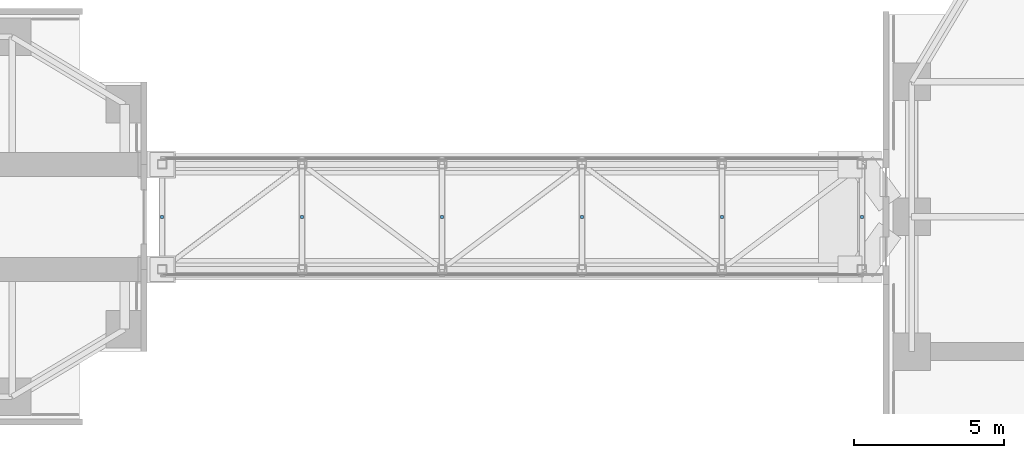
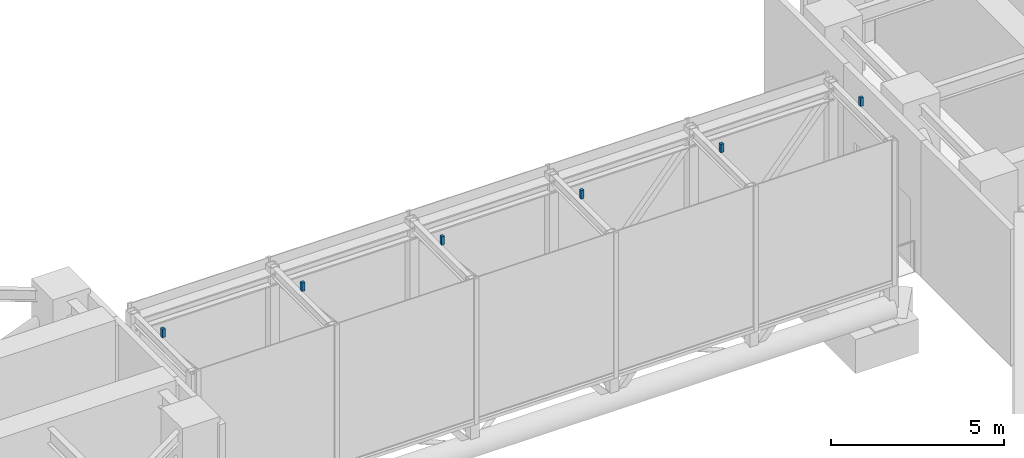
# One storey, part 12 of 15: 6 discrete accessories.
"""IFC4 building model written with IfcOpenShell, lengths in metres."""

from ifc_helpers import new_model, si_unit, direction, frame, origin, origin_2d, place, context, subcontext, project, spatial, rectangle, extrude, material, material_profile, profile_set, type_object, element, save


model = new_model("IFC4")

# Units and contexts
model_context = context("Model", 3, precision=1e-05, world=origin(), true_north=direction((0.0, 1.0)))
body_context = subcontext(model_context, "Body", "Model", "MODEL_VIEW")
ifc_project = project(units=[si_unit("LENGTHUNIT", "METRE"), si_unit("AREAUNIT", "SQUARE_METRE"), si_unit("VOLUMEUNIT", "CUBIC_METRE"), si_unit("PLANEANGLEUNIT", "RADIAN"), si_unit("MASSUNIT", "GRAM", prefix="KILO")], contexts=[model_context])

# Site, building, storey
site_placement = place(None, origin())
site = spatial("IfcSite", under=ifc_project, at=site_placement, CompositionType="ELEMENT")
building_placement = place(site_placement, origin())
building = spatial("IfcBuilding", under=site, at=building_placement, Name="Upepo Twin Towers", CompositionType="ELEMENT")
storey_placement = place(building_placement, frame((0.0, 0.0, 165.5)))
storey = spatial("IfcBuildingStorey", under=building, at=storey_placement, Name="L40", CompositionType="ELEMENT", Elevation=165.5)

# Discrete accessories
ifc_material = material(Name="Stainless steel 1.4401", Category="steel")
ifc_material_profile = material_profile(ifc_material, rectangle(XDim=0.10009765625, YDim=0.10009765625, at=origin_2d()), Name="ANCHOR POST 100x100")
ifc_profile_set = profile_set([ifc_material_profile], Name="Stainless steel 1.4401")
discrete_accessory_type = type_object("IfcDiscreteAccessoryType", Name="Fall-arrest anchor, stainless steel, to EN 795 type A", PredefinedType="USERDEFINED", material=ifc_profile_set)
for number, where, z_axis, x_axis, name in (
    (1, (27.5, 0.0, 4.949951171875), (0.0, 0.0, 1.0), (1.0, 0.0, 0.0), "BR2 roof fall-arrest anchor 1"),
    (2, (32.16796875, 0.0, 4.949951171875), (0.0, 0.0, 1.0), (1.0, 0.0, 0.0), "BR2 roof fall-arrest anchor 2"),
    (3, (36.8359375, 0.0, 4.949951171875), (0.0, 0.0, 1.0), (1.0, 0.0, 0.0), "BR2 roof fall-arrest anchor 3"),
    (4, (41.50390625, 0.0, 4.949951171875), (0.0, 0.0, 1.0), (1.0, 0.0, 0.0), "BR2 roof fall-arrest anchor 4"),
    (5, (46.172119140625, 0.0, 4.949951171875), (0.0, 0.0, 1.0), (1.0, 0.0, 0.0), "BR2 roof fall-arrest anchor 5"),
    (6, (50.840087890625, 0.0, 4.949951171875), (0.0, 0.0, 1.0), (1.0, 0.0, 0.0), "BR2 roof fall-arrest anchor 6"),
):
    element("IfcDiscreteAccessory", number, at=place(storey_placement, frame(where, z_axis=z_axis, x_axis=x_axis)), inside=storey, type_object=discrete_accessory_type, Name=name, ObjectType="ANCHOR", PredefinedType="USERDEFINED", context=body_context, shape_type="SweptSolid", body=[
        extrude(rectangle(XDim=0.10009765625, YDim=0.10009765625, at=origin_2d()), origin(), (0.0, 0.0, 1.0), 0.300048828125),
    ])

save(model, "model.ifc")
